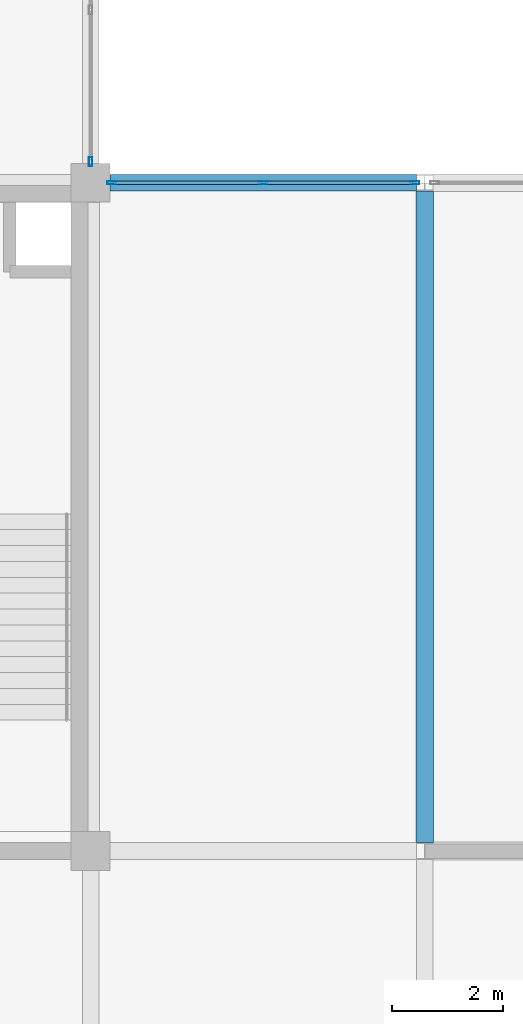
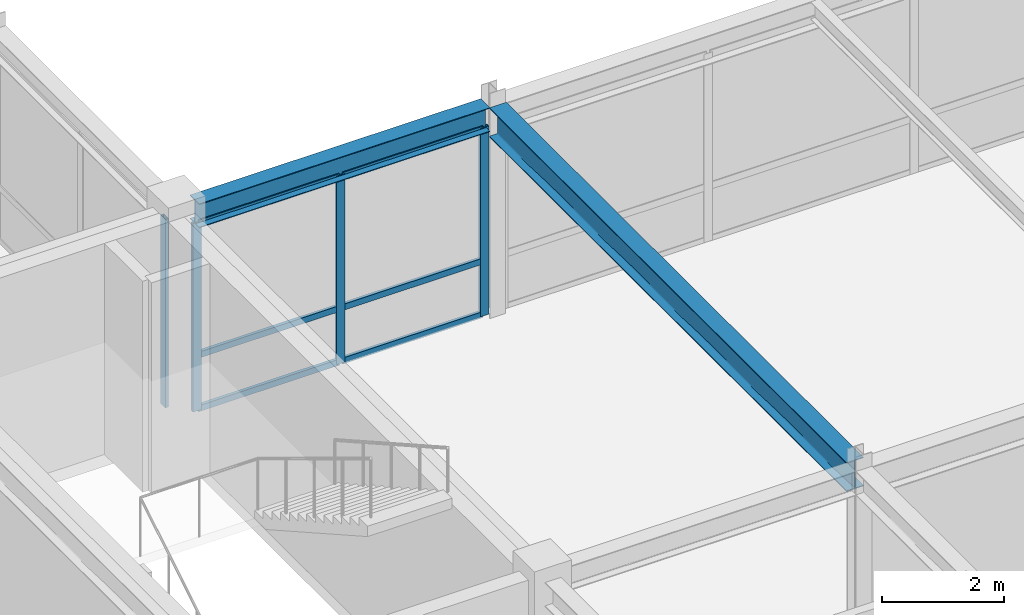
# One storey, part 26 of 108: 10 members, 2 beams, 2 elements without a shape of their own.
"""IFC4 building model written with IfcOpenShell, lengths in metres."""

from ifc_helpers import new_model, si_unit, direction, frame, origin, origin_2d, place, context, subcontext, project, spatial, hollow_rectangle, i_section, extrude, material, layer, layer_set, material_profile, profile_set, type_object, element, aggregate, save


model = new_model("IFC4")

# Units and contexts
model_context = context("Model", 3, precision=1e-05, world=origin(), true_north=direction((0.0, 1.0)))
body_context = subcontext(model_context, "Body", "Model", "MODEL_VIEW")
ifc_project = project(units=[si_unit("LENGTHUNIT", "METRE"), si_unit("AREAUNIT", "SQUARE_METRE"), si_unit("VOLUMEUNIT", "CUBIC_METRE"), si_unit("PLANEANGLEUNIT", "RADIAN"), si_unit("MASSUNIT", "GRAM", prefix="KILO")], contexts=[model_context])

# Site, building, storey
site_placement = place(None, origin())
site = spatial("IfcSite", under=ifc_project, at=site_placement, CompositionType="ELEMENT")
building_placement = place(site_placement, origin())
building = spatial("IfcBuilding", under=site, at=building_placement, Name="Zlatovratsky Civic Hall", CompositionType="ELEMENT")
storey_placement = place(building_placement, frame((0.0, 0.0, 12.0)))
storey = spatial("IfcBuildingStorey", under=building, at=storey_placement, Name="L03", CompositionType="ELEMENT", Elevation=12.0)

# Beams
ifc_material_1 = material(Name="Steel S355", Category="steel")
ifc_material_profile_1 = material_profile(ifc_material_1, i_section(OverallWidth=0.300048828125, OverallDepth=0.48193359375, WebThickness=0.010986328125, FlangeThickness=0.014892578125, FilletRadius=0.02392578125, at=origin_2d()), Name="50Sh1")
ifc_profile_set_1 = profile_set([ifc_material_profile_1], Name="Steel S355")
beam_type_1 = type_object("IfcBeamType", Name="Beam_LibraryGirder_50Sh1", PredefinedType="BEAM", material=ifc_profile_set_1)
beam_1_placement = place(storey_placement, frame((18.35009765625, 30.0, 3.97900390625), z_axis=(1.0, 0.0, 0.0), x_axis=(0.0, 1.0, 0.0)))
element("IfcBeam", 1, at=beam_1_placement, inside=storey, type_object=beam_type_1, Name="BM-2527", PredefinedType="BEAM", context=body_context, shape_type="SweptSolid", body=[
    extrude(i_section(OverallWidth=0.300048828125, OverallDepth=0.48193359375, WebThickness=0.010986328125, FlangeThickness=0.014892578125, FilletRadius=0.02392578125, at=origin_2d()), origin(), (0.0, 0.0, 1.0), 5.50048828125),
])
ifc_material_profile_2 = material_profile(ifc_material_1, i_section(OverallWidth=0.320068359375, OverallDepth=0.58203125, WebThickness=0.011962890625, FlangeThickness=0.01708984375, FilletRadius=0.02392578125, at=origin_2d()), Name="60Sh1")
ifc_profile_set_2 = profile_set([ifc_material_profile_2], Name="Steel S355")
beam_type_2 = type_object("IfcBeamType", Name="Beam_PodiumGirder_60Sh1", PredefinedType="BEAM", material=ifc_profile_set_2)
beam_2_placement = place(storey_placement, frame((24.0, 18.14794921875, 3.928955078125), z_axis=(0.0, 1.0, 0.0), x_axis=(-1.0, 0.0, 0.0)))
element("IfcBeam", 2, at=beam_2_placement, inside=storey, type_object=beam_type_2, Name="BM-2846", PredefinedType="BEAM", context=body_context, shape_type="SweptSolid", body=[
    extrude(i_section(OverallWidth=0.320068359375, OverallDepth=0.58203125, WebThickness=0.011962890625, FlangeThickness=0.01708984375, FilletRadius=0.02392578125, at=origin_2d()), origin(), (0.0, 0.0, 1.0), 11.7041015625),
])

# Curtain wall, members
ifc_material_2 = material(Name="Anodised bronze aluminium", Category="aluminium")
ifc_layer = layer(ifc_material_2, 0.159912109375)
ifc_layer_set = layer_set([ifc_layer], Name="Anodised bronze aluminium")
curtain_wall_type = type_object("IfcCurtainWallType", Name="CurtainWall_Bronze_5500x3770_10", PredefinedType="NOTDEFINED", material=ifc_layer_set)
curtain_wall_1_placement = place(storey_placement, origin())
curtain_wall_1 = element("IfcCurtainWall", 3, at=curtain_wall_1_placement, inside=storey, type_object=curtain_wall_type, Name="CW-051", PredefinedType="NOTDEFINED")
ifc_material_profile_3 = material_profile(ifc_material_2, hollow_rectangle(XDim=0.06005859375, YDim=0.159912109375, WallThickness=0.00390625, at=origin_2d()), Name="ALU 60x160x4")
ifc_profile_set_3 = profile_set([ifc_material_profile_3], Name="Anodised bronze aluminium")
member_type_1 = type_object("IfcMemberType", Name="CW_Mullion_60x160", PredefinedType="MULLION", material=ifc_profile_set_3)
member_1_placement = place(storey_placement, frame((18.3798828125, 30.0, 0.0), z_axis=(0.0, 0.0, 1.0), x_axis=(0.0, 1.0, 0.0)))
member_1 = element("IfcMember", 4, at=member_1_placement, type_object=member_type_1, Name="CW-10 mullion 1", PredefinedType="MULLION", context=body_context, shape_type="SweptSolid", body=[
    extrude(hollow_rectangle(XDim=0.06005859375, YDim=0.159912109375, WallThickness=0.00390625, at=origin_2d()), origin(), (0.0, 0.0, 1.0), 3.77001953125),
])
member_2_placement = place(storey_placement, frame((21.100341796875, 30.0, 0.0), z_axis=(0.0, 0.0, 1.0), x_axis=(0.0, 1.0, 0.0)))
member_2 = element("IfcMember", 5, at=member_2_placement, type_object=member_type_1, Name="CW-10 mullion 2", PredefinedType="MULLION", context=body_context, shape_type="SweptSolid", body=[
    extrude(hollow_rectangle(XDim=0.06005859375, YDim=0.159912109375, WallThickness=0.00390625, at=origin_2d()), origin(), (0.0, 0.0, 1.0), 3.77001953125),
])
member_3_placement = place(storey_placement, frame((23.820556640625, 30.0, 0.0), z_axis=(0.0, 0.0, 1.0), x_axis=(0.0, 1.0, 0.0)))
member_3 = element("IfcMember", 6, at=member_3_placement, type_object=member_type_1, Name="CW-10 mullion 3", PredefinedType="MULLION", context=body_context, shape_type="SweptSolid", body=[
    extrude(hollow_rectangle(XDim=0.06005859375, YDim=0.159912109375, WallThickness=0.00390625, at=origin_2d()), origin(), (0.0, 0.0, 1.0), 3.77001953125),
])

# Curtain wall, member
curtain_wall_2_placement = place(storey_placement, origin())
curtain_wall_2 = element("IfcCurtainWall", 7, at=curtain_wall_2_placement, inside=storey, type_object=curtain_wall_type, Name="CW-057", PredefinedType="NOTDEFINED")
member_4_placement = place(storey_placement, frame((18.0, 30.3798828125, 0.0), z_axis=(0.0, 0.0, 1.0), x_axis=(-1.0, 0.0, 0.0)))
member_4 = element("IfcMember", 8, at=member_4_placement, type_object=member_type_1, Name="CW-10 mullion 1", PredefinedType="MULLION", context=body_context, shape_type="SweptSolid", body=[
    extrude(hollow_rectangle(XDim=0.06005859375, YDim=0.159912109375, WallThickness=0.00390625, at=origin_2d()), origin(), (0.0, 0.0, 1.0), 3.77001953125),
])
aggregate(curtain_wall_2, [member_4])

# Member
ifc_material_profile_4 = material_profile(ifc_material_2, hollow_rectangle(XDim=0.06005859375, YDim=0.1201171875, WallThickness=0.00390625, at=origin_2d()), Name="ALU 60x120x4")
ifc_profile_set_4 = profile_set([ifc_material_profile_4], Name="Anodised bronze aluminium")
member_type_2 = type_object("IfcMemberType", Name="CW_Transom_60x120", PredefinedType="USERDEFINED", material=ifc_profile_set_4)
member_5_placement = place(storey_placement, frame((18.409912109375, 30.0, 0.030029296875), z_axis=(1.0, 0.0, 0.0), x_axis=(0.0, 1.0, 0.0)))
member_5 = element("IfcMember", 9, at=member_5_placement, type_object=member_type_2, Name="CW-10 transom 1.1", ObjectType="TRANSOM", PredefinedType="USERDEFINED", context=body_context, shape_type="SweptSolid", body=[
    extrude(hollow_rectangle(XDim=0.06005859375, YDim=0.1201171875, WallThickness=0.00390625, at=origin_2d()), origin(), (0.0, 0.0, 1.0), 2.660400390625),
])

member_6_placement = place(storey_placement, frame((18.409912109375, 30.0, 1.10009765625), z_axis=(1.0, 0.0, 0.0), x_axis=(0.0, 1.0, 0.0)))
member_6 = element("IfcMember", 10, at=member_6_placement, type_object=member_type_2, Name="CW-10 transom 1.2", ObjectType="TRANSOM", PredefinedType="USERDEFINED", context=body_context, shape_type="SweptSolid", body=[
    extrude(hollow_rectangle(XDim=0.06005859375, YDim=0.1201171875, WallThickness=0.00390625, at=origin_2d()), origin(), (0.0, 0.0, 1.0), 2.660400390625),
])

member_7_placement = place(storey_placement, frame((18.409912109375, 30.0, 3.739990234375), z_axis=(1.0, 0.0, 0.0), x_axis=(0.0, 1.0, 0.0)))
member_7 = element("IfcMember", 11, at=member_7_placement, type_object=member_type_2, Name="CW-10 transom 1.3", ObjectType="TRANSOM", PredefinedType="USERDEFINED", context=body_context, shape_type="SweptSolid", body=[
    extrude(hollow_rectangle(XDim=0.06005859375, YDim=0.1201171875, WallThickness=0.00390625, at=origin_2d()), origin(), (0.0, 0.0, 1.0), 2.660400390625),
])

member_8_placement = place(storey_placement, frame((21.13037109375, 30.0, 0.030029296875), z_axis=(1.0, 0.0, 0.0), x_axis=(0.0, 1.0, 0.0)))
member_8 = element("IfcMember", 12, at=member_8_placement, type_object=member_type_2, Name="CW-10 transom 2.1", ObjectType="TRANSOM", PredefinedType="USERDEFINED", context=body_context, shape_type="SweptSolid", body=[
    extrude(hollow_rectangle(XDim=0.06005859375, YDim=0.1201171875, WallThickness=0.00390625, at=origin_2d()), origin(), (0.0, 0.0, 1.0), 2.66015625),
])

member_9_placement = place(storey_placement, frame((21.13037109375, 30.0, 1.10009765625), z_axis=(1.0, 0.0, 0.0), x_axis=(0.0, 1.0, 0.0)))
member_9 = element("IfcMember", 13, at=member_9_placement, type_object=member_type_2, Name="CW-10 transom 2.2", ObjectType="TRANSOM", PredefinedType="USERDEFINED", context=body_context, shape_type="SweptSolid", body=[
    extrude(hollow_rectangle(XDim=0.06005859375, YDim=0.1201171875, WallThickness=0.00390625, at=origin_2d()), origin(), (0.0, 0.0, 1.0), 2.66015625),
])

member_10_placement = place(storey_placement, frame((21.13037109375, 30.0, 3.739990234375), z_axis=(1.0, 0.0, 0.0), x_axis=(0.0, 1.0, 0.0)))
member_10 = element("IfcMember", 14, at=member_10_placement, type_object=member_type_2, Name="CW-10 transom 2.3", ObjectType="TRANSOM", PredefinedType="USERDEFINED", context=body_context, shape_type="SweptSolid", body=[
    extrude(hollow_rectangle(XDim=0.06005859375, YDim=0.1201171875, WallThickness=0.00390625, at=origin_2d()), origin(), (0.0, 0.0, 1.0), 2.66015625),
])

aggregate(curtain_wall_1, [member_1, member_2, member_3, member_5, member_6, member_7, member_8, member_9, member_10])

save(model, "model.ifc")
